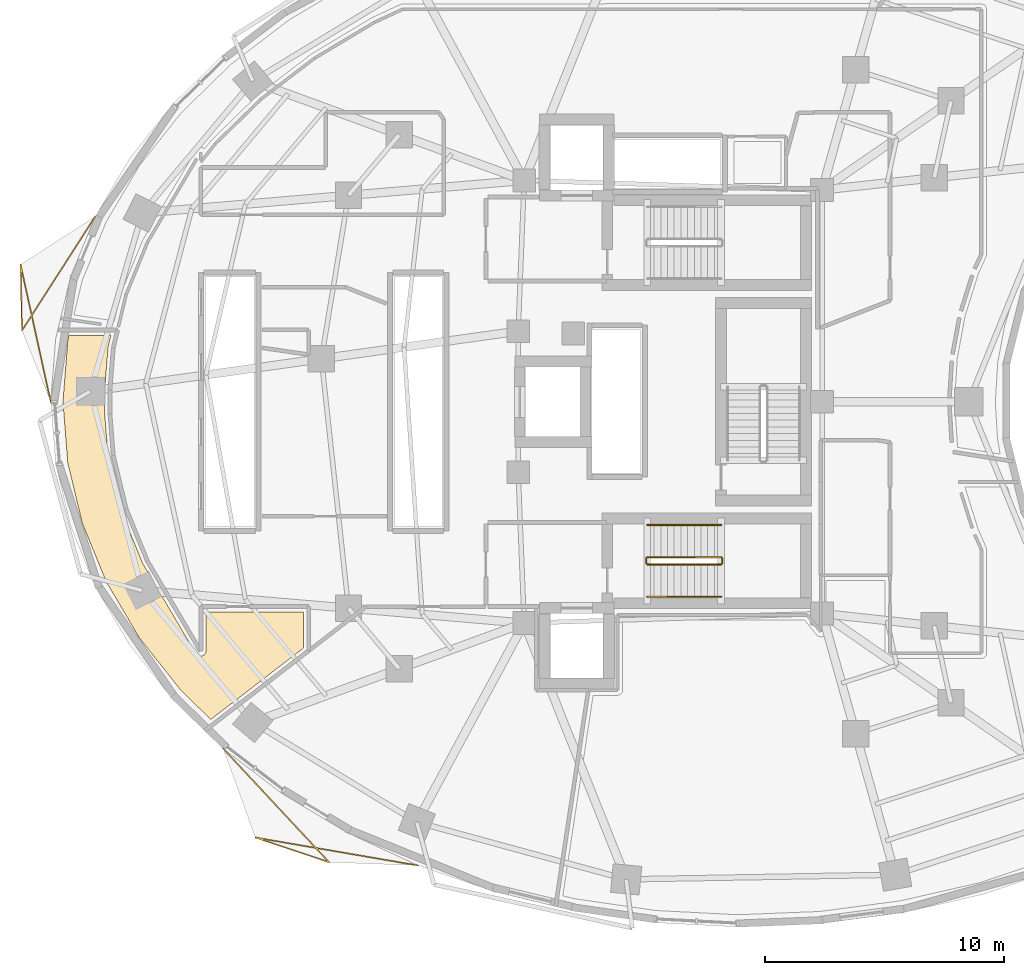
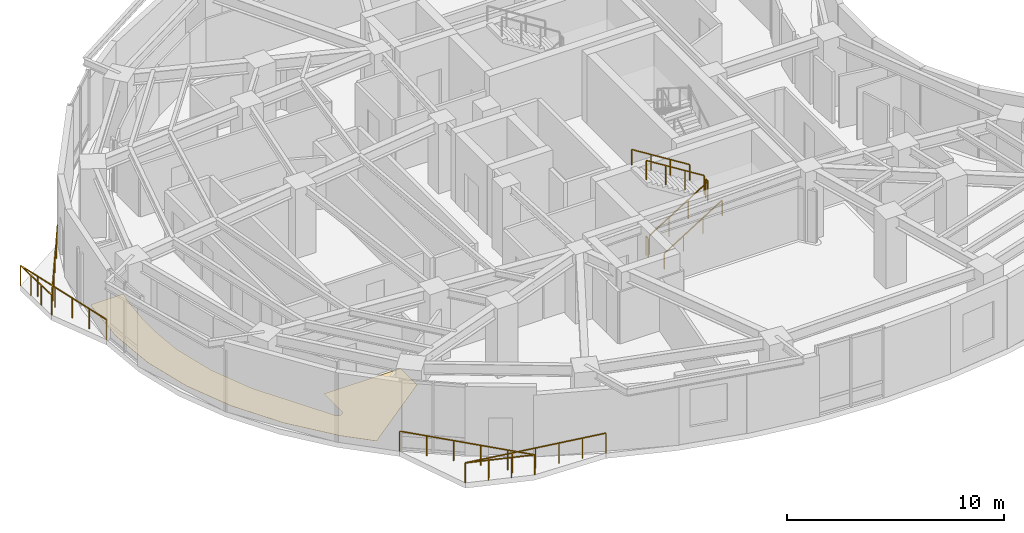
# One storey, part 12 of 14: 8 railings, 1 covering.
"""IFC4 building model written with IfcOpenShell, lengths in metres."""

from ifc_helpers import new_model, si_unit, direction, frame, origin, origin_2d, place, context, subcontext, project, spatial, polyline, rectangle, outline, extrude, material, layer, layer_set, type_object, element, save


model = new_model("IFC4")

# Units and contexts
model_context = context("Model", 3, precision=1e-05, world=origin(), true_north=direction((0.0, 1.0)))
body_context = subcontext(model_context, "Body", "Model", "MODEL_VIEW")
ifc_project = project(units=[si_unit("LENGTHUNIT", "METRE"), si_unit("AREAUNIT", "SQUARE_METRE"), si_unit("VOLUMEUNIT", "CUBIC_METRE"), si_unit("PLANEANGLEUNIT", "RADIAN"), si_unit("MASSUNIT", "GRAM", prefix="KILO")], contexts=[model_context])

# Site, building, storey
site_placement = place(None, origin())
site = spatial("IfcSite", under=ifc_project, at=site_placement, CompositionType="ELEMENT")
building_placement = place(site_placement, origin())
building = spatial("IfcBuilding", under=site, at=building_placement, Name="Korentha Bioscience Tower", CompositionType="ELEMENT")
storey_placement = place(building_placement, frame((0.0, 0.0, 119.39990234375)))
storey = spatial("IfcBuildingStorey", under=building, at=storey_placement, Name="L27", CompositionType="ELEMENT", Elevation=119.39990234375)

# Railings
ifc_material_1 = material(Name="Stainless Steel 304", Category="steel")
railing_type_1 = type_object("IfcRailingType", Name="Brushed Stainless Stair Handrail 900", PredefinedType="HANDRAIL", material=ifc_material_1)
railing_1_placement = place(storey_placement, frame((30.25, 18.85009765625, 0.175048828125)))
element("IfcRailing", 1, at=railing_1_placement, inside=storey, type_object=railing_type_1, Name="L27 ST-2 stair handrail 1", PredefinedType="HANDRAIL", context=body_context, shape_type="SweptSolid", body=[
    extrude(rectangle(XDim=0.048095703125, YDim=0.048095703125, at=origin_2d()), frame((0.0, 0.0, 0.8759765625), z_axis=(0.847998304005, 0.0, 0.529998940003), x_axis=(0.0, 1.0, 0.0)), (0.0, 0.0, 1.0), 3.632080078125),
    extrude(rectangle(XDim=0.0419921875, YDim=0.0419921875, at=origin_2d()), origin(), (0.0, 0.0, 1.0), 0.851806640625),
    extrude(rectangle(XDim=0.0419921875, YDim=0.0419921875, at=origin_2d()), frame((1.026611328125, 0.0, 0.6416015625)), (0.0, 0.0, 1.0), 0.851806640625),
    extrude(rectangle(XDim=0.0419921875, YDim=0.0419921875, at=origin_2d()), frame((2.053466796875, 0.0, 1.283447265625)), (0.0, 0.0, 1.0), 0.851806640625),
    extrude(rectangle(XDim=0.0419921875, YDim=0.0419921875, at=origin_2d()), frame((3.080078125, 0.0, 1.925048828125)), (0.0, 0.0, 1.0), 0.851806640625),
])
railing_2_placement = place(storey_placement, frame((33.330078125, 21.85009765625, 2.275146484375)))
element("IfcRailing", 2, at=railing_2_placement, inside=storey, type_object=railing_type_1, Name="L27 ST-2 stair handrail 2", PredefinedType="HANDRAIL", context=body_context, shape_type="SweptSolid", body=[
    extrude(rectangle(XDim=0.048095703125, YDim=0.048095703125, at=origin_2d()), frame((0.0, 0.0, 0.8759765625), z_axis=(-0.847998304005, 0.0, 0.529998940003), x_axis=(0.0, -1.0, 0.0)), (0.0, 0.0, 1.0), 3.632080078125),
    extrude(rectangle(XDim=0.0419921875, YDim=0.0419921875, at=origin_2d()), origin(), (0.0, 0.0, 1.0), 0.851806640625),
    extrude(rectangle(XDim=0.0419921875, YDim=0.0419921875, at=origin_2d()), frame((-1.026611328125, 0.0, 0.6416015625)), (0.0, 0.0, 1.0), 0.851806640625),
    extrude(rectangle(XDim=0.0419921875, YDim=0.0419921875, at=origin_2d()), frame((-2.053466796875, 0.0, 1.283447265625)), (0.0, 0.0, 1.0), 0.851806640625),
    extrude(rectangle(XDim=0.0419921875, YDim=0.0419921875, at=origin_2d()), frame((-3.080078125, 0.0, 1.925048828125)), (0.0, 0.0, 1.0), 0.851806640625),
])
ifc_material_2 = material(Name="Laminated Tempered Safety Glass", Category="glass")
railing_type_2 = type_object("IfcRailingType", Name="Laminated Glass Balcony Guardrail 1150", PredefinedType="BALUSTRADE", material=ifc_material_2)
railing_3_placement = place(storey_placement, frame((7.17626953125, 34.74609375, 0.0)))
element("IfcRailing", 3, at=railing_3_placement, inside=storey, type_object=railing_type_2, Name="L27 Balcony Guardrail 02", PredefinedType="BALUSTRADE", context=body_context, shape_type="SweptSolid", body=[
    extrude(rectangle(XDim=0.048095703125, YDim=0.048095703125, at=origin_2d()), frame((0.0, 0.0, 1.1259765625), z_axis=(-0.539985183443, -0.841674522403, 0.0), x_axis=(0.841674522403, -0.539985183443, 0.0)), (0.0, 0.0, 1.0), 5.6728515625),
    extrude(rectangle(XDim=0.048095703125, YDim=0.048095703125, at=origin_2d()), frame((-3.063232421875, -4.774658203125, 1.1259765625), z_axis=(-0.020618734894, 0.999787411289, 0.0), x_axis=(-0.999787411289, -0.020618734894, 0.0)), (0.0, 0.0, 1.0), 2.7587890625),
    extrude(rectangle(XDim=0.048095703125, YDim=0.048095703125, at=origin_2d()), frame((-3.1201171875, -2.016357421875, 1.1259765625), z_axis=(0.214417947437, -0.976742004737, 0.0), x_axis=(0.976742004737, 0.214417947437, 0.0)), (0.0, 0.0, 1.0), 5.8662109375),
    extrude(rectangle(XDim=0.0419921875, YDim=0.0419921875, at=origin_2d()), origin(), (0.0, 0.0, 1.0), 1.101806640625),
    extrude(rectangle(XDim=0.0419921875, YDim=0.0419921875, at=origin_2d()), frame((-0.612548828125, -0.954833984375, 0.0)), (0.0, 0.0, 1.0), 1.101806640625),
    extrude(rectangle(XDim=0.0419921875, YDim=0.0419921875, at=origin_2d()), frame((-1.225341796875, -1.909912109375, 0.0)), (0.0, 0.0, 1.0), 1.101806640625),
    extrude(rectangle(XDim=0.0419921875, YDim=0.0419921875, at=origin_2d()), frame((-1.837890625, -2.86474609375, 0.0)), (0.0, 0.0, 1.0), 1.101806640625),
    extrude(rectangle(XDim=0.0419921875, YDim=0.0419921875, at=origin_2d()), frame((-2.45068359375, -3.81982421875, 0.0)), (0.0, 0.0, 1.0), 1.101806640625),
    extrude(rectangle(XDim=0.0419921875, YDim=0.0419921875, at=origin_2d()), frame((-3.063232421875, -4.774658203125, 0.0)), (0.0, 0.0, 1.0), 1.101806640625),
    extrude(rectangle(XDim=0.0419921875, YDim=0.0419921875, at=origin_2d()), frame((-3.082275390625, -3.855224609375, 0.0)), (0.0, 0.0, 1.0), 1.101806640625),
    extrude(rectangle(XDim=0.0419921875, YDim=0.0419921875, at=origin_2d()), frame((-3.10107421875, -2.935791015625, 0.0)), (0.0, 0.0, 1.0), 1.101806640625),
    extrude(rectangle(XDim=0.0419921875, YDim=0.0419921875, at=origin_2d()), frame((-3.1201171875, -2.016357421875, 0.0)), (0.0, 0.0, 1.0), 1.101806640625),
    extrude(rectangle(XDim=0.0419921875, YDim=0.0419921875, at=origin_2d()), frame((-2.86865234375, -3.162353515625, 0.0)), (0.0, 0.0, 1.0), 1.101806640625),
    extrude(rectangle(XDim=0.0419921875, YDim=0.0419921875, at=origin_2d()), frame((-2.616943359375, -4.308349609375, 0.0)), (0.0, 0.0, 1.0), 1.101806640625),
    extrude(rectangle(XDim=0.0419921875, YDim=0.0419921875, at=origin_2d()), frame((-2.365478515625, -5.4541015625, 0.0)), (0.0, 0.0, 1.0), 1.101806640625),
    extrude(rectangle(XDim=0.0419921875, YDim=0.0419921875, at=origin_2d()), frame((-2.11376953125, -6.60009765625, 0.0)), (0.0, 0.0, 1.0), 1.101806640625),
    extrude(rectangle(XDim=0.0419921875, YDim=0.0419921875, at=origin_2d()), frame((-1.8623046875, -7.74609375, 0.0)), (0.0, 0.0, 1.0), 1.101806640625),
])
railing_4_placement = place(storey_placement, frame((12.52294921875, 12.504638671875, 0.0)))
element("IfcRailing", 4, at=railing_4_placement, inside=storey, type_object=railing_type_2, Name="L27 Balcony Guardrail 03", PredefinedType="BALUSTRADE", context=body_context, shape_type="SweptSolid", body=[
    extrude(rectangle(XDim=0.048095703125, YDim=0.048095703125, at=origin_2d()), frame((0.0, 0.0, 1.1259765625), z_axis=(0.682045068732, -0.731310142292, 0.0), x_axis=(0.731310142292, 0.682045068732, 0.0)), (0.0, 0.0, 1.0), 6.496826171875),
    extrude(rectangle(XDim=0.048095703125, YDim=0.048095703125, at=origin_2d()), frame((4.43115234375, -4.751220703125, 1.1259765625), z_axis=(-0.948112006436, 0.317936508207, 0.0), x_axis=(-0.317936508207, -0.948112006436, 0.0)), (0.0, 0.0, 1.0), 3.256591796875),
    extrude(rectangle(XDim=0.048095703125, YDim=0.048095703125, at=origin_2d()), frame((1.343505859375, -3.7158203125, 1.1259765625), z_axis=(0.985573893579, -0.169245680285, 0.0), x_axis=(0.169245680285, 0.985573893579, 0.0)), (0.0, 0.0, 1.0), 6.899658203125),
    extrude(rectangle(XDim=0.0419921875, YDim=0.0419921875, at=origin_2d()), origin(), (0.0, 0.0, 1.0), 1.101806640625),
    extrude(rectangle(XDim=0.0419921875, YDim=0.0419921875, at=origin_2d()), frame((0.88623046875, -0.9501953125, 0.0)), (0.0, 0.0, 1.0), 1.101806640625),
    extrude(rectangle(XDim=0.0419921875, YDim=0.0419921875, at=origin_2d()), frame((1.7724609375, -1.900390625, 0.0)), (0.0, 0.0, 1.0), 1.101806640625),
    extrude(rectangle(XDim=0.0419921875, YDim=0.0419921875, at=origin_2d()), frame((2.65869140625, -2.850830078125, 0.0)), (0.0, 0.0, 1.0), 1.101806640625),
    extrude(rectangle(XDim=0.0419921875, YDim=0.0419921875, at=origin_2d()), frame((3.544921875, -3.801025390625, 0.0)), (0.0, 0.0, 1.0), 1.101806640625),
    extrude(rectangle(XDim=0.0419921875, YDim=0.0419921875, at=origin_2d()), frame((4.43115234375, -4.751220703125, 0.0)), (0.0, 0.0, 1.0), 1.101806640625),
    extrude(rectangle(XDim=0.0419921875, YDim=0.0419921875, at=origin_2d()), frame((3.40185546875, -4.406005859375, 0.0)), (0.0, 0.0, 1.0), 1.101806640625),
    extrude(rectangle(XDim=0.0419921875, YDim=0.0419921875, at=origin_2d()), frame((2.372802734375, -4.06103515625, 0.0)), (0.0, 0.0, 1.0), 1.101806640625),
    extrude(rectangle(XDim=0.0419921875, YDim=0.0419921875, at=origin_2d()), frame((1.343505859375, -3.7158203125, 0.0)), (0.0, 0.0, 1.0), 1.101806640625),
    extrude(rectangle(XDim=0.0419921875, YDim=0.0419921875, at=origin_2d()), frame((2.476806640625, -3.910400390625, 0.0)), (0.0, 0.0, 1.0), 1.101806640625),
    extrude(rectangle(XDim=0.0419921875, YDim=0.0419921875, at=origin_2d()), frame((3.610107421875, -4.10498046875, 0.0)), (0.0, 0.0, 1.0), 1.101806640625),
    extrude(rectangle(XDim=0.0419921875, YDim=0.0419921875, at=origin_2d()), frame((4.74365234375, -4.2998046875, 0.0)), (0.0, 0.0, 1.0), 1.101806640625),
    extrude(rectangle(XDim=0.0419921875, YDim=0.0419921875, at=origin_2d()), frame((5.876953125, -4.494384765625, 0.0)), (0.0, 0.0, 1.0), 1.101806640625),
    extrude(rectangle(XDim=0.0419921875, YDim=0.0419921875, at=origin_2d()), frame((7.01025390625, -4.68896484375, 0.0)), (0.0, 0.0, 1.0), 1.101806640625),
    extrude(rectangle(XDim=0.0419921875, YDim=0.0419921875, at=origin_2d()), frame((8.1435546875, -4.883544921875, 0.0)), (0.0, 0.0, 1.0), 1.101806640625),
])
ifc_material_3 = material(Name="Painted Steel S275", Category="steel")
railing_type_3 = type_object("IfcRailingType", Name="Painted Steel Stair Well Guardrail 1100", PredefinedType="GUARDRAIL", material=ifc_material_3)
railing_5_placement = place(storey_placement, frame((30.25, 20.199951171875, 0.175048828125)))
element("IfcRailing", 5, at=railing_5_placement, inside=storey, type_object=railing_type_3, Name="L27 ST-2 stair guard 1", PredefinedType="GUARDRAIL", context=body_context, shape_type="SweptSolid", body=[
    extrude(rectangle(XDim=0.048095703125, YDim=0.048095703125, at=origin_2d()), frame((0.0, 0.0, 1.076171875), z_axis=(0.847998304005, 0.0, 0.529998940003), x_axis=(0.0, 1.0, 0.0)), (0.0, 0.0, 1.0), 3.632080078125),
    extrude(rectangle(XDim=0.0419921875, YDim=0.0419921875, at=origin_2d()), origin(), (0.0, 0.0, 1.0), 1.052001953125),
    extrude(rectangle(XDim=0.0419921875, YDim=0.0419921875, at=origin_2d()), frame((1.026611328125, 0.0, 0.6416015625)), (0.0, 0.0, 1.0), 1.052001953125),
    extrude(rectangle(XDim=0.0419921875, YDim=0.0419921875, at=origin_2d()), frame((2.053466796875, 0.0, 1.283447265625)), (0.0, 0.0, 1.0), 1.052001953125),
    extrude(rectangle(XDim=0.0419921875, YDim=0.0419921875, at=origin_2d()), frame((3.080078125, 0.0, 1.925048828125)), (0.0, 0.0, 1.0), 1.052001953125),
])
railing_6_placement = place(storey_placement, frame((33.3798828125, 20.25, 2.10009765625)))
element("IfcRailing", 6, at=railing_6_placement, inside=storey, type_object=railing_type_3, Name="L27 ST-2 stair guard 2", PredefinedType="GUARDRAIL", context=body_context, shape_type="SweptSolid", body=[
    extrude(rectangle(XDim=0.048095703125, YDim=0.048095703125, at=origin_2d()), frame((0.0, 0.0, 1.076171875), z_axis=(0.0, 1.0, 0.0), x_axis=(-1.0, 0.0, 0.0)), (0.0, 0.0, 1.0), 0.199951171875),
    extrude(rectangle(XDim=0.0419921875, YDim=0.0419921875, at=origin_2d()), origin(), (0.0, 0.0, 1.0), 1.052001953125),
    extrude(rectangle(XDim=0.0419921875, YDim=0.0419921875, at=origin_2d()), frame((0.0, 0.199951171875, 0.0)), (0.0, 0.0, 1.0), 1.052001953125),
])
railing_7_placement = place(storey_placement, frame((33.330078125, 20.5, 2.275146484375)))
element("IfcRailing", 7, at=railing_7_placement, inside=storey, type_object=railing_type_3, Name="L27 ST-2 stair guard 3", PredefinedType="GUARDRAIL", context=body_context, shape_type="SweptSolid", body=[
    extrude(rectangle(XDim=0.048095703125, YDim=0.048095703125, at=origin_2d()), frame((0.0, 0.0, 1.076171875), z_axis=(-0.847998304005, 0.0, 0.529998940003), x_axis=(0.0, -1.0, 0.0)), (0.0, 0.0, 1.0), 3.632080078125),
    extrude(rectangle(XDim=0.0419921875, YDim=0.0419921875, at=origin_2d()), origin(), (0.0, 0.0, 1.0), 1.052001953125),
    extrude(rectangle(XDim=0.0419921875, YDim=0.0419921875, at=origin_2d()), frame((-1.026611328125, 0.0, 0.6416015625)), (0.0, 0.0, 1.0), 1.052001953125),
    extrude(rectangle(XDim=0.0419921875, YDim=0.0419921875, at=origin_2d()), frame((-2.053466796875, 0.0, 1.283447265625)), (0.0, 0.0, 1.0), 1.052001953125),
    extrude(rectangle(XDim=0.0419921875, YDim=0.0419921875, at=origin_2d()), frame((-3.080078125, 0.0, 1.925048828125)), (0.0, 0.0, 1.0), 1.052001953125),
])
railing_8_placement = place(storey_placement, frame((30.199951171875, 20.25, 0.0)))
element("IfcRailing", 8, at=railing_8_placement, inside=storey, type_object=railing_type_3, Name="L27 ST-2 stair guard 4", PredefinedType="GUARDRAIL", context=body_context, shape_type="SweptSolid", body=[
    extrude(rectangle(XDim=0.048095703125, YDim=0.048095703125, at=origin_2d()), frame((0.0, 0.0, 1.076171875), z_axis=(0.0, 1.0, 0.0), x_axis=(-1.0, 0.0, 0.0)), (0.0, 0.0, 1.0), 0.199951171875),
    extrude(rectangle(XDim=0.0419921875, YDim=0.0419921875, at=origin_2d()), origin(), (0.0, 0.0, 1.0), 1.052001953125),
    extrude(rectangle(XDim=0.0419921875, YDim=0.0419921875, at=origin_2d()), frame((0.0, 0.199951171875, 0.0)), (0.0, 0.0, 1.0), 1.052001953125),
])

# Covering
ifc_material_4 = material(Name="Chemical-Resistant Epoxy Resin", Category="polymer")
ifc_layer = layer(ifc_material_4, 0.011962890625, Name="Chemical-Resistant Epoxy Resin")
ifc_layer_set = layer_set([ifc_layer], Name="Chemical-Resistant Epoxy Resin (FL-EPX)")
covering_type = type_object("IfcCoveringType", Name="Seamless Epoxy Laboratory Flooring 12", PredefinedType="FLOORING", material=ifc_layer_set)
covering_placement = place(storey_placement, origin())
element("IfcCovering", 9, at=covering_placement, inside=storey, type_object=covering_type, Name="L27 Biospecimen Archive Store 02 Floor Finish", PredefinedType="FLOORING", context=body_context, shape_type="SweptSolid", body=[
    extrude(outline(polyline([(7.830810546875, 29.778076171875), (7.710693359375, 29.2666015625), (7.5703125, 27.492431640625), (7.5703125, 26.507568359375), (7.714599609375, 24.706787109375), (8.25390625, 22.462158203125), (9.162109375, 20.23828125), (11.38818359375, 16.46533203125), (11.48876953125, 16.380859375), (11.619384765625, 16.365478515625), (11.737060546875, 16.424072265625), (11.803466796875, 16.53759765625), (11.81005859375, 18.219970703125), (15.8779296875, 18.219970703125), (15.8779296875, 16.70703125), (12.003662109375, 13.723388671875), (10.76708984375, 14.92822265625), (9.018310546875, 17.1357421875), (7.634521484375, 19.48095703125), (6.63330078125, 21.9296875), (6.0283203125, 24.44775390625), (5.82568359375, 27.0), (6.028076171875, 29.55224609375), (6.08251953125, 29.778076171875), (7.830810546875, 29.778076171875)])), origin(), (0.0, 0.0, 1.0), 0.01220703125),
])

save(model, "model.ifc")
